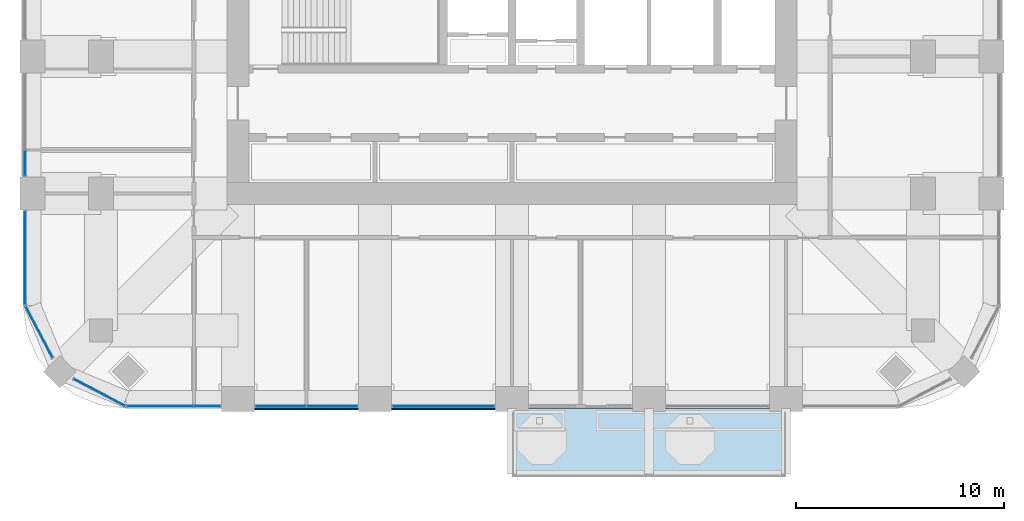
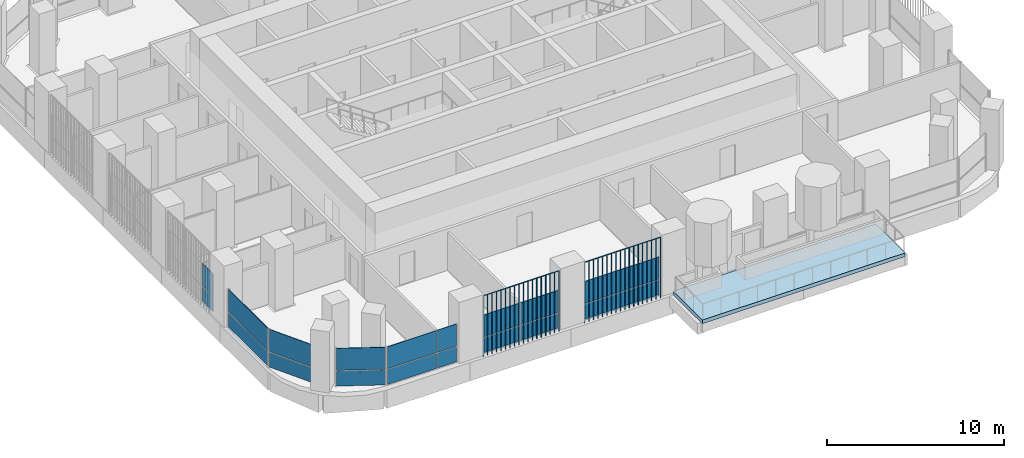
# One storey, part 8 of 20: 20 plates, 1 slab, 7 elements without a shape of their own.
"""IFC4 building model written with IfcOpenShell, lengths in metres."""

import ifcopenshell
import ifcopenshell.guid

model = None  # the IFC model being written
_history = None  # IfcOwnerHistory: only IFC2X3 demands one
_inside = {}  # id of a spatial element -> (the spatial element, [elements in it])
_under = {}  # id of a project, library or spatial element -> (it, [spatial elements below it])
_declared = {}  # id of a project -> (the project, [libraries it declares])
_typed = {}  # id of a type object -> (the type object, [elements of that type])
_made_of = {}  # id of a material, layer set ... -> (it, [elements and type objects made of it])


def new_model(schema):
    """Start an empty IFC model of exactly this schema.

    Asked for "IFC4X3", IfcOpenShell would pick the latest addendum, in which some entities
    have other attributes; the version numbers below select the first issue.
    IFC2X3 requires an IfcOwnerHistory on every rooted entity: one is made here for all.
    """
    global model, _history
    if schema == "IFC4X3":
        model = ifcopenshell.file(schema_version=(4, 3, 0, 0))
    else:
        model = ifcopenshell.file(schema=schema)
    _inside.clear()
    _under.clear()
    _declared.clear()
    _typed.clear()
    _made_of.clear()
    _history = None
    if model.schema == "IFC2X3":
        org = make("IfcOrganization", Name="unknown")
        user = make(
            "IfcPersonAndOrganization",
            ThePerson=make("IfcPerson", FamilyName="unknown"),
            TheOrganization=org,
        )
        app = make(
            "IfcApplication",
            ApplicationDeveloper=org,
            Version="unknown",
            ApplicationFullName="unknown",
            ApplicationIdentifier="unknown",
        )
        _history = make(
            "IfcOwnerHistory",
            OwningUser=user,
            OwningApplication=app,
            ChangeAction="ADDED",
            CreationDate=0,
        )
    return model


def make(cls, **values):
    """One entity of the class cls with the attributes given. An attribute that is None is left unset."""
    return model.create_entity(
        cls, **{name: value for name, value in values.items() if value is not None}
    )


def rooted(cls, **values):
    """An entity with a GlobalId (a new one), such as an element, a storey or a relation."""
    return make(cls, GlobalId=ifcopenshell.guid.new(), OwnerHistory=_history, **values)


def si_unit(unit_type, name, prefix=None):
    """IfcSIUnit, for example si_unit("LENGTHUNIT", "METRE", prefix="MILLI")."""
    return make("IfcSIUnit", UnitType=unit_type, Prefix=prefix, Name=name)


def assignment(units):
    """IfcUnitAssignment: the units of a project."""
    return None if units is None else make("IfcUnitAssignment", Units=units)


def point(xyz):
    """IfcCartesianPoint."""
    return None if xyz is None else make("IfcCartesianPoint", Coordinates=xyz)


def direction(xyz):
    """IfcDirection."""
    return None if xyz is None else make("IfcDirection", DirectionRatios=xyz)


def frame(location, z_axis=None, x_axis=None):
    """IfcAxis2Placement3D, a coordinate frame: its origin and axes. An axis left out is left unset."""
    return make(
        "IfcAxis2Placement3D",
        Location=point(location),
        Axis=direction(z_axis),
        RefDirection=direction(x_axis),
    )


def frame_2d(location, x_axis=None):
    """IfcAxis2Placement2D, a coordinate frame in the plane: its origin and x axis."""
    return make(
        "IfcAxis2Placement2D", Location=point(location), RefDirection=direction(x_axis)
    )


def origin():
    """The frame at (0, 0, 0) with its axes left unset."""
    return frame((0.0, 0.0, 0.0))


def origin_2d():
    """The frame at (0, 0) in the plane with its x axis left unset."""
    return frame_2d((0.0, 0.0))


def place(relative_to, where):
    """IfcLocalPlacement: puts the frame where relative to a parent placement (None: the world)."""
    return make(
        "IfcLocalPlacement", PlacementRelTo=relative_to, RelativePlacement=where
    )


def context(
    kind, dimensions, precision=None, world=None, true_north=None, identifier=None
):
    """IfcGeometricRepresentationContext, for example the 3D "Model" context."""
    return make(
        "IfcGeometricRepresentationContext",
        ContextIdentifier=identifier,
        ContextType=kind,
        CoordinateSpaceDimension=dimensions,
        Precision=precision,
        WorldCoordinateSystem=world,
        TrueNorth=true_north,
    )


def subcontext(parent, identifier, kind, view, scale=None):
    """IfcGeometricRepresentationSubContext, for example "Body" below "Model"."""
    return make(
        "IfcGeometricRepresentationSubContext",
        ContextIdentifier=identifier,
        ContextType=kind,
        ParentContext=parent,
        TargetScale=scale,
        TargetView=view,
    )


def project(units=None, contexts=None):
    """IfcProject with its units and contexts."""
    return rooted(
        "IfcProject",
        Name="project",
        RepresentationContexts=contexts,
        UnitsInContext=assignment(units),
    )


def spatial(cls, under=None, at=None, **own):
    """A site, building, storey or space (cls), placed at a placement, below another one or the project."""
    s = rooted(cls, ObjectPlacement=at, **own)
    if under is not None:
        _under.setdefault(under.id(), (under, []))[1].append(s)
    return s


def polyline(points):
    """IfcPolyline through the points."""
    return make("IfcPolyline", Points=[point(p) for p in points])


def profile(cls, at=None, kind="AREA", **sizes):
    """A parametric profile (cls). Its sizes go by their IFC names, for example OverallWidth=200.0."""
    return make(cls, ProfileType=kind, Position=at, **sizes)


def rectangle(**sizes):
    """IfcRectangleProfileDef."""
    return profile("IfcRectangleProfileDef", **sizes)


def outline(outer, holes=None, kind="AREA"):
    """IfcArbitraryClosedProfileDef: a profile drawn as a closed curve; with holes, ...WithVoids."""
    if holes is None:
        return make("IfcArbitraryClosedProfileDef", ProfileType=kind, OuterCurve=outer)
    return make(
        "IfcArbitraryProfileDefWithVoids",
        ProfileType=kind,
        OuterCurve=outer,
        InnerCurves=holes,
    )


def extrude(swept, where, along, depth):
    """IfcExtrudedAreaSolid: the profile swept, set in the frame where, extruded along a direction by depth."""
    return make(
        "IfcExtrudedAreaSolid",
        SweptArea=swept,
        Position=where,
        ExtrudedDirection=direction(along),
        Depth=depth,
    )


def shape(context_of_items, identifier, shape_type, items):
    """IfcShapeRepresentation: the items that make up one representation, for example the "Body"."""
    return make(
        "IfcShapeRepresentation",
        ContextOfItems=context_of_items,
        RepresentationIdentifier=identifier,
        RepresentationType=shape_type,
        Items=items,
    )


def material(Name=None, Category=None):
    """IfcMaterial."""
    return make("IfcMaterial", Name=Name, Category=Category)


def layer(
    of_material, thickness, ventilated=None, Name=None, Category=None, Priority=None
):
    """IfcMaterialLayer: one layer of a wall or slab, of a material (None: an air gap)."""
    return make(
        "IfcMaterialLayer",
        Material=of_material,
        LayerThickness=thickness,
        IsVentilated=ventilated,
        Name=Name,
        Category=Category,
        Priority=Priority,
    )


def layer_set(layers, Name=None):
    """IfcMaterialLayerSet."""
    return make("IfcMaterialLayerSet", MaterialLayers=layers, LayerSetName=Name)


def made_of(thing, what):
    """Note that an element or type object is made of a material, layer set ...; save() writes the relation."""
    if what is not None:
        _made_of.setdefault(what.id(), (what, []))[1].append(thing)
    return thing


def type_object(cls, material=None, **own):
    """A type object (cls), such as IfcWallType, which elements share."""
    return made_of(rooted(cls, **own), material)


def element(
    cls,
    number,
    at=None,
    inside=None,
    cuts=None,
    type_object=None,
    material=None,
    context=None,
    identifier="Body",
    shape_type=None,
    held_by="IfcProductDefinitionShape",
    body=None,
    shapes=None,
    **own,
):
    """One element of the class cls, such as IfcWall. Its Tag is "e" and its number.

    at: its placement. inside: the storey or other place that contains it. cuts: it is an
    opening in that element (IfcRelVoidsElement). A single representation is given by context,
    identifier, shape_type and body (its items); several are given by shapes. held_by: the class
    of the entity that holds the representations. save() writes the other relations.
    """
    e = rooted(cls, Tag="e%d" % number, ObjectPlacement=at, **own)
    if body is not None:
        shapes = [shape(context, identifier, shape_type, body)]
    if shapes is not None:
        e.Representation = make(held_by, Representations=shapes)
    if inside is not None:
        _inside.setdefault(inside.id(), (inside, []))[1].append(e)
    if cuts is not None:
        rooted(
            "IfcRelVoidsElement", RelatingBuildingElement=cuts, RelatedOpeningElement=e
        )
    if type_object is not None:
        _typed.setdefault(type_object.id(), (type_object, []))[1].append(e)
    return made_of(e, material)


def aggregate(whole, parts):
    """IfcRelAggregates: a whole, such as a stair, and the parts it consists of."""
    return rooted("IfcRelAggregates", RelatingObject=whole, RelatedObjects=parts)


def save(model, path):
    """Write the relations noted so far, then the file.

    IfcRelAggregates (storeys below a building ...), IfcRelContainedInSpatialStructure (elements
    in a storey), IfcRelDefinesByType, IfcRelAssociatesMaterial and IfcRelDeclares: one each for
    every whole, place, type object, material and project.
    """
    for whole, parts in _under.values():
        aggregate(whole, parts)
    for where, things in _inside.values():
        rooted(
            "IfcRelContainedInSpatialStructure",
            RelatedElements=things,
            RelatingStructure=where,
        )
    for kind, things in _typed.values():
        rooted("IfcRelDefinesByType", RelatedObjects=things, RelatingType=kind)
    for what, things in _made_of.values():
        rooted("IfcRelAssociatesMaterial", RelatedObjects=things, RelatingMaterial=what)
    for by, libraries in _declared.values():
        rooted("IfcRelDeclares", RelatingContext=by, RelatedDefinitions=libraries)
    model.write(path)


model = new_model("IFC4")

# Units and contexts
model_context = context("Model", 3, precision=1e-05, world=origin(), true_north=direction((0.0, 1.0)))
body_context = subcontext(model_context, "Body", "Model", "MODEL_VIEW")
ifc_project = project(units=[si_unit("LENGTHUNIT", "METRE"), si_unit("AREAUNIT", "SQUARE_METRE"), si_unit("VOLUMEUNIT", "CUBIC_METRE"), si_unit("PLANEANGLEUNIT", "RADIAN"), si_unit("MASSUNIT", "GRAM", prefix="KILO")], contexts=[model_context])

# Site, building, storey
site_placement = place(None, origin())
site = spatial("IfcSite", under=ifc_project, at=site_placement, CompositionType="ELEMENT")
building_placement = place(site_placement, origin())
building = spatial("IfcBuilding", under=site, at=building_placement, Name="Cobogo Forest Laboratory Tower", CompositionType="ELEMENT")
storey_placement = place(building_placement, frame((0.0, 0.0, 214.5)))
storey = spatial("IfcBuildingStorey", under=building, at=storey_placement, Name="L49", CompositionType="ELEMENT", Elevation=214.5)

# Slab
ifc_material_1 = material(Name="Concrete HA-40 (C40/50)", Category="concrete")
ifc_layer_1 = layer(ifc_material_1, 0.25)
ifc_layer_set_1 = layer_set([ifc_layer_1], Name="Balcony slab 250")
slab_type = type_object("IfcSlabType", Name="Balcony slab 250", PredefinedType="FLOOR", material=ifc_layer_set_1)
slab_placement = place(storey_placement, frame((0.0, 0.0, -0.25)))
element("IfcSlab", 1, at=slab_placement, inside=storey, type_object=slab_type, Name="Balcony BAL-S1 L49", PredefinedType="FLOOR", context=body_context, shape_type="SweptSolid", body=[
    extrude(outline(polyline([(26.39990234375, -0.449951171875), (39.60009765625, -0.449951171875), (39.60009765625, 2.85009765625), (26.39990234375, 2.85009765625), (26.39990234375, -0.449951171875)])), origin(), (0.0, 0.0, 1.0), 0.25),
])

# Curtain wall, plates
ifc_material_2 = material(Name="Aluminium curtain wall", Category="aluminium")
curtain_wall_type = type_object("IfcCurtainWallType", Name="CW-2 unitised curtain wall, solar control glazing, laboratory floors zones C and D", PredefinedType="USERDEFINED", material=ifc_material_2)
curtain_wall_1_placement = place(storey_placement, origin())
curtain_wall_1 = element("IfcCurtainWall", 2, at=curtain_wall_1_placement, inside=storey, type_object=curtain_wall_type, Name="Curtain wall 01 L49", ObjectType="UNITISED CURTAIN WALL", PredefinedType="USERDEFINED")
ifc_material_3 = material(Name="Solar control insulated glass", Category="glass")
ifc_layer_2 = layer(ifc_material_3, 0.031982421875)
ifc_layer_set_2 = layer_set([ifc_layer_2], Name="GP-2 solar control glass unit 32")
plate_type_1 = type_object("IfcPlateType", Name="GP-2 solar control glass unit 32", PredefinedType="CURTAIN_PANEL", material=ifc_layer_set_2)
plate_1_placement = place(storey_placement, frame((9.452392578125, 2.949951171875, 0.0), z_axis=(0.0, 0.0, 1.0), x_axis=(1.0, 0.0, 0.0)))
plate_1 = element("IfcPlate", 3, at=plate_1_placement, type_object=plate_type_1, Name="CW-2 panel 1.1", PredefinedType="CURTAIN_PANEL", context=body_context, shape_type="SweptSolid", body=[
    extrude(rectangle(XDim=3.18505859375, YDim=0.031982421875, at=origin_2d()), origin(), (0.0, 0.0, 1.0), 1.02001953125),
])
plate_2_placement = place(storey_placement, frame((9.452392578125, 2.949951171875, 1.080078125), z_axis=(0.0, 0.0, 1.0), x_axis=(1.0, 0.0, 0.0)))
plate_2 = element("IfcPlate", 4, at=plate_2_placement, type_object=plate_type_1, Name="CW-2 panel 1.2", PredefinedType="CURTAIN_PANEL", context=body_context, shape_type="SweptSolid", body=[
    extrude(rectangle(XDim=3.18505859375, YDim=0.031982421875, at=origin_2d()), origin(), (0.0, 0.0, 1.0), 1.52001953125),
])
plate_3_placement = place(storey_placement, frame((11.722412109375, 2.949951171875, 0.0), z_axis=(0.0, 0.0, 1.0), x_axis=(1.0, 0.0, 0.0)))
plate_3 = element("IfcPlate", 5, at=plate_3_placement, type_object=plate_type_1, Name="CW-2 panel 2.1", PredefinedType="CURTAIN_PANEL", context=body_context, shape_type="SweptSolid", body=[
    extrude(rectangle(XDim=1.235107421875, YDim=0.031982421875, at=origin_2d()), origin(), (0.0, 0.0, 1.0), 1.02001953125),
])
plate_4_placement = place(storey_placement, frame((11.722412109375, 2.949951171875, 1.080078125), z_axis=(0.0, 0.0, 1.0), x_axis=(1.0, 0.0, 0.0)))
plate_4 = element("IfcPlate", 6, at=plate_4_placement, type_object=plate_type_1, Name="CW-2 panel 2.2", PredefinedType="CURTAIN_PANEL", context=body_context, shape_type="SweptSolid", body=[
    extrude(rectangle(XDim=1.235107421875, YDim=0.031982421875, at=origin_2d()), origin(), (0.0, 0.0, 1.0), 1.52001953125),
])
aggregate(curtain_wall_1, [plate_1, plate_2, plate_3, plate_4])

curtain_wall_2_placement = place(storey_placement, origin())
curtain_wall_2 = element("IfcCurtainWall", 7, at=curtain_wall_2_placement, inside=storey, type_object=curtain_wall_type, Name="Curtain wall 02 L49", ObjectType="UNITISED CURTAIN WALL", PredefinedType="USERDEFINED")
plate_5_placement = place(storey_placement, frame((15.264892578125, 2.949951171875, 0.0), z_axis=(0.0, 0.0, 1.0), x_axis=(1.0, 0.0, 0.0)))
plate_5 = element("IfcPlate", 8, at=plate_5_placement, type_object=plate_type_1, Name="CW-2 panel 1.1", PredefinedType="CURTAIN_PANEL", context=body_context, shape_type="SweptSolid", body=[
    extrude(rectangle(XDim=2.409912109375, YDim=0.031982421875, at=origin_2d()), origin(), (0.0, 0.0, 1.0), 1.02001953125),
])
plate_6_placement = place(storey_placement, frame((15.264892578125, 2.949951171875, 1.080078125), z_axis=(0.0, 0.0, 1.0), x_axis=(1.0, 0.0, 0.0)))
plate_6 = element("IfcPlate", 9, at=plate_6_placement, type_object=plate_type_1, Name="CW-2 panel 1.2", PredefinedType="CURTAIN_PANEL", context=body_context, shape_type="SweptSolid", body=[
    extrude(rectangle(XDim=2.409912109375, YDim=0.031982421875, at=origin_2d()), origin(), (0.0, 0.0, 1.0), 1.52001953125),
])
plate_7_placement = place(storey_placement, frame((17.735107421875, 2.949951171875, 0.0), z_axis=(0.0, 0.0, 1.0), x_axis=(1.0, 0.0, 0.0)))
plate_7 = element("IfcPlate", 10, at=plate_7_placement, type_object=plate_type_1, Name="CW-2 panel 2.1", PredefinedType="CURTAIN_PANEL", context=body_context, shape_type="SweptSolid", body=[
    extrude(rectangle(XDim=2.409912109375, YDim=0.031982421875, at=origin_2d()), origin(), (0.0, 0.0, 1.0), 1.02001953125),
])
plate_8_placement = place(storey_placement, frame((17.735107421875, 2.949951171875, 1.080078125), z_axis=(0.0, 0.0, 1.0), x_axis=(1.0, 0.0, 0.0)))
plate_8 = element("IfcPlate", 11, at=plate_8_placement, type_object=plate_type_1, Name="CW-2 panel 2.2", PredefinedType="CURTAIN_PANEL", context=body_context, shape_type="SweptSolid", body=[
    extrude(rectangle(XDim=2.409912109375, YDim=0.031982421875, at=origin_2d()), origin(), (0.0, 0.0, 1.0), 1.52001953125),
])
aggregate(curtain_wall_2, [plate_5, plate_6, plate_7, plate_8])

curtain_wall_3_placement = place(storey_placement, origin())
curtain_wall_3 = element("IfcCurtainWall", 12, at=curtain_wall_3_placement, inside=storey, type_object=curtain_wall_type, Name="Curtain wall 03 L49", ObjectType="UNITISED CURTAIN WALL", PredefinedType="USERDEFINED")
plate_9_placement = place(storey_placement, frame((23.10009765625, 2.949951171875, 0.0), z_axis=(0.0, 0.0, 1.0), x_axis=(1.0, 0.0, 0.0)))
plate_9 = element("IfcPlate", 13, at=plate_9_placement, type_object=plate_type_1, Name="CW-2 panel 1.1", PredefinedType="CURTAIN_PANEL", context=body_context, shape_type="SweptSolid", body=[
    extrude(rectangle(XDim=4.8798828125, YDim=0.031982421875, at=origin_2d()), origin(), (0.0, 0.0, 1.0), 1.02001953125),
])
plate_10_placement = place(storey_placement, frame((23.10009765625, 2.949951171875, 1.080078125), z_axis=(0.0, 0.0, 1.0), x_axis=(1.0, 0.0, 0.0)))
plate_10 = element("IfcPlate", 14, at=plate_10_placement, type_object=plate_type_1, Name="CW-2 panel 1.2", PredefinedType="CURTAIN_PANEL", context=body_context, shape_type="SweptSolid", body=[
    extrude(rectangle(XDim=4.8798828125, YDim=0.031982421875, at=origin_2d()), origin(), (0.0, 0.0, 1.0), 1.52001953125),
])
aggregate(curtain_wall_3, [plate_9, plate_10])

curtain_wall_4_placement = place(storey_placement, origin())
curtain_wall_4 = element("IfcCurtainWall", 15, at=curtain_wall_4_placement, inside=storey, type_object=curtain_wall_type, Name="Curtain wall 27 L49", ObjectType="UNITISED CURTAIN WALL", PredefinedType="USERDEFINED")
plate_11_placement = place(storey_placement, frame((2.949951171875, 14.6650390625, 0.0), z_axis=(0.0, 0.0, 1.0), x_axis=(0.0, -1.0, 0.0)))
plate_11 = element("IfcPlate", 16, at=plate_11_placement, type_object=plate_type_1, Name="CW-2 panel 2.1", PredefinedType="CURTAIN_PANEL", context=body_context, shape_type="SweptSolid", body=[
    extrude(rectangle(XDim=1.2099609375, YDim=0.031982421875, at=origin_2d()), origin(), (0.0, 0.0, 1.0), 1.02001953125),
])
plate_12_placement = place(storey_placement, frame((2.949951171875, 14.6650390625, 1.080078125), z_axis=(0.0, 0.0, 1.0), x_axis=(0.0, -1.0, 0.0)))
plate_12 = element("IfcPlate", 17, at=plate_12_placement, type_object=plate_type_1, Name="CW-2 panel 2.2", PredefinedType="CURTAIN_PANEL", context=body_context, shape_type="SweptSolid", body=[
    extrude(rectangle(XDim=1.2099609375, YDim=0.031982421875, at=origin_2d()), origin(), (0.0, 0.0, 1.0), 1.52001953125),
])
aggregate(curtain_wall_4, [plate_11, plate_12])

curtain_wall_5_placement = place(storey_placement, origin())
curtain_wall_5 = element("IfcCurtainWall", 18, at=curtain_wall_5_placement, inside=storey, type_object=curtain_wall_type, Name="Curtain wall 28 L49", ObjectType="UNITISED CURTAIN WALL", PredefinedType="USERDEFINED")
plate_13_placement = place(storey_placement, frame((2.949951171875, 10.10009765625, 0.0), z_axis=(0.0, 0.0, 1.0), x_axis=(0.0, -1.0, 0.0)))
plate_13 = element("IfcPlate", 19, at=plate_13_placement, type_object=plate_type_1, Name="CW-2 panel 1.1", PredefinedType="CURTAIN_PANEL", context=body_context, shape_type="SweptSolid", body=[
    extrude(rectangle(XDim=4.47998046875, YDim=0.031982421875, at=origin_2d()), origin(), (0.0, 0.0, 1.0), 1.02001953125),
])
plate_14_placement = place(storey_placement, frame((2.949951171875, 10.10009765625, 1.080078125), z_axis=(0.0, 0.0, 1.0), x_axis=(0.0, -1.0, 0.0)))
plate_14 = element("IfcPlate", 20, at=plate_14_placement, type_object=plate_type_1, Name="CW-2 panel 1.2", PredefinedType="CURTAIN_PANEL", context=body_context, shape_type="SweptSolid", body=[
    extrude(rectangle(XDim=4.47998046875, YDim=0.031982421875, at=origin_2d()), origin(), (0.0, 0.0, 1.0), 1.52001953125),
])
aggregate(curtain_wall_5, [plate_13, plate_14])

curtain_wall_6_placement = place(storey_placement, origin())
curtain_wall_6 = element("IfcCurtainWall", 21, at=curtain_wall_6_placement, inside=storey, type_object=curtain_wall_type, Name="Curtain wall 29 L49", ObjectType="UNITISED CURTAIN WALL", PredefinedType="USERDEFINED")
plate_15_placement = place(storey_placement, frame((3.61865234375, 6.5244140625, 0.0), z_axis=(0.0, 0.0, 1.0), x_axis=(0.464283804832, -0.885686484356, 0.0)))
plate_15 = element("IfcPlate", 22, at=plate_15_placement, type_object=plate_type_1, Name="CW-2 panel 1.1", PredefinedType="CURTAIN_PANEL", context=body_context, shape_type="SweptSolid", body=[
    extrude(rectangle(XDim=2.76025390625, YDim=0.031982421875, at=origin_2d()), origin(), (0.0, 0.0, 1.0), 1.02001953125),
])
plate_16_placement = place(storey_placement, frame((3.61865234375, 6.5244140625, 1.080078125), z_axis=(0.0, 0.0, 1.0), x_axis=(0.464283804832, -0.885686484356, 0.0)))
plate_16 = element("IfcPlate", 23, at=plate_16_placement, type_object=plate_type_1, Name="CW-2 panel 1.2", PredefinedType="CURTAIN_PANEL", context=body_context, shape_type="SweptSolid", body=[
    extrude(rectangle(XDim=2.76025390625, YDim=0.031982421875, at=origin_2d()), origin(), (0.0, 0.0, 1.0), 1.52001953125),
])
aggregate(curtain_wall_6, [plate_15, plate_16])

curtain_wall_7_placement = place(storey_placement, origin())
curtain_wall_7 = element("IfcCurtainWall", 24, at=curtain_wall_7_placement, inside=storey, type_object=curtain_wall_type, Name="Curtain wall 30 L49", ObjectType="UNITISED CURTAIN WALL", PredefinedType="USERDEFINED")
plate_17_placement = place(storey_placement, frame((6.5244140625, 3.61865234375, 0.0), z_axis=(0.0, 0.0, 1.0), x_axis=(0.885686484356, -0.464283804832, 0.0)))
plate_17 = element("IfcPlate", 25, at=plate_17_placement, type_object=plate_type_1, Name="CW-2 panel 1.1", PredefinedType="CURTAIN_PANEL", context=body_context, shape_type="SweptSolid", body=[
    extrude(rectangle(XDim=2.76025390625, YDim=0.031982421875, at=origin_2d()), origin(), (0.0, 0.0, 1.0), 1.02001953125),
])
plate_18_placement = place(storey_placement, frame((6.5244140625, 3.61865234375, 1.080078125), z_axis=(0.0, 0.0, 1.0), x_axis=(0.885686484356, -0.464283804832, 0.0)))
plate_18 = element("IfcPlate", 26, at=plate_18_placement, type_object=plate_type_1, Name="CW-2 panel 1.2", PredefinedType="CURTAIN_PANEL", context=body_context, shape_type="SweptSolid", body=[
    extrude(rectangle(XDim=2.76025390625, YDim=0.031982421875, at=origin_2d()), origin(), (0.0, 0.0, 1.0), 1.52001953125),
])
aggregate(curtain_wall_7, [plate_17, plate_18])

# Plates
ifc_material_4 = material(Name="Terracotta", Category="masonry")
plate_type_2 = type_object("IfcPlateType", Name="TB1 terracotta baguette screen", PredefinedType="USERDEFINED", material=ifc_material_4)
plate_19_placement = place(storey_placement, frame((14.03125, 2.822021484375, -0.14990234375)))
element("IfcPlate", 27, at=plate_19_placement, inside=storey, type_object=plate_type_2, Name="Baguette screen S1 L49", ObjectType="BAGUETTE SCREEN", PredefinedType="USERDEFINED", context=body_context, shape_type="SweptSolid", body=[
    extrude(outline(polyline([(0.02880859375, 0.011962890625), (0.011962890625, 0.02880859375), (-0.011962890625, 0.02880859375), (-0.02880859375, 0.011962890625), (-0.02880859375, -0.011962890625), (-0.011962890625, -0.02880859375), (0.011962890625, -0.02880859375), (0.02880859375, -0.011962890625), (0.02880859375, 0.011962890625)])), frame((0.0, 0.0, 4.168701171875), z_axis=(1.0, 0.0, 0.0), x_axis=(0.0, 1.0, 0.0)), (0.0, 0.0, 1.0), 4.9375),
    extrude(outline(polyline([(0.02880859375, 0.011962890625), (0.011962890625, 0.02880859375), (-0.011962890625, 0.02880859375), (-0.02880859375, 0.011962890625), (-0.02880859375, -0.011962890625), (-0.011962890625, -0.02880859375), (0.011962890625, -0.02880859375), (0.02880859375, -0.011962890625), (0.02880859375, 0.011962890625)])), origin(), (0.0, 0.0, 1.0), 4.137451171875),
    extrude(outline(polyline([(0.02880859375, 0.011962890625), (0.011962890625, 0.02880859375), (-0.011962890625, 0.02880859375), (-0.02880859375, 0.011962890625), (-0.02880859375, -0.011962890625), (-0.011962890625, -0.02880859375), (0.011962890625, -0.02880859375), (0.02880859375, -0.011962890625), (0.02880859375, 0.011962890625)])), frame((0.29052734375, 0.0, 0.0)), (0.0, 0.0, 1.0), 4.137451171875),
    extrude(outline(polyline([(0.02880859375, 0.011962890625), (0.011962890625, 0.02880859375), (-0.011962890625, 0.02880859375), (-0.02880859375, 0.011962890625), (-0.02880859375, -0.011962890625), (-0.011962890625, -0.02880859375), (0.011962890625, -0.02880859375), (0.02880859375, -0.011962890625), (0.02880859375, 0.011962890625)])), frame((0.580810546875, 0.0, 0.0)), (0.0, 0.0, 1.0), 4.137451171875),
    extrude(outline(polyline([(0.02880859375, 0.011962890625), (0.011962890625, 0.02880859375), (-0.011962890625, 0.02880859375), (-0.02880859375, 0.011962890625), (-0.02880859375, -0.011962890625), (-0.011962890625, -0.02880859375), (0.011962890625, -0.02880859375), (0.02880859375, -0.011962890625), (0.02880859375, 0.011962890625)])), frame((0.871337890625, 0.0, 0.0)), (0.0, 0.0, 1.0), 4.137451171875),
    extrude(outline(polyline([(0.02880859375, 0.011962890625), (0.011962890625, 0.02880859375), (-0.011962890625, 0.02880859375), (-0.02880859375, 0.011962890625), (-0.02880859375, -0.011962890625), (-0.011962890625, -0.02880859375), (0.011962890625, -0.02880859375), (0.02880859375, -0.011962890625), (0.02880859375, 0.011962890625)])), frame((1.161865234375, 0.0, 0.0)), (0.0, 0.0, 1.0), 4.137451171875),
    extrude(outline(polyline([(0.02880859375, 0.011962890625), (0.011962890625, 0.02880859375), (-0.011962890625, 0.02880859375), (-0.02880859375, 0.011962890625), (-0.02880859375, -0.011962890625), (-0.011962890625, -0.02880859375), (0.011962890625, -0.02880859375), (0.02880859375, -0.011962890625), (0.02880859375, 0.011962890625)])), frame((1.4521484375, 0.0, 0.0)), (0.0, 0.0, 1.0), 4.137451171875),
    extrude(outline(polyline([(0.02880859375, 0.011962890625), (0.011962890625, 0.02880859375), (-0.011962890625, 0.02880859375), (-0.02880859375, 0.011962890625), (-0.02880859375, -0.011962890625), (-0.011962890625, -0.02880859375), (0.011962890625, -0.02880859375), (0.02880859375, -0.011962890625), (0.02880859375, 0.011962890625)])), frame((1.74267578125, 0.0, 0.0)), (0.0, 0.0, 1.0), 4.137451171875),
    extrude(outline(polyline([(0.02880859375, 0.011962890625), (0.011962890625, 0.02880859375), (-0.011962890625, 0.02880859375), (-0.02880859375, 0.011962890625), (-0.02880859375, -0.011962890625), (-0.011962890625, -0.02880859375), (0.011962890625, -0.02880859375), (0.02880859375, -0.011962890625), (0.02880859375, 0.011962890625)])), frame((2.033203125, 0.0, 0.0)), (0.0, 0.0, 1.0), 4.137451171875),
    extrude(outline(polyline([(0.02880859375, 0.011962890625), (0.011962890625, 0.02880859375), (-0.011962890625, 0.02880859375), (-0.02880859375, 0.011962890625), (-0.02880859375, -0.011962890625), (-0.011962890625, -0.02880859375), (0.011962890625, -0.02880859375), (0.02880859375, -0.011962890625), (0.02880859375, 0.011962890625)])), frame((2.323486328125, 0.0, 0.0)), (0.0, 0.0, 1.0), 4.137451171875),
    extrude(outline(polyline([(0.02880859375, 0.011962890625), (0.011962890625, 0.02880859375), (-0.011962890625, 0.02880859375), (-0.02880859375, 0.011962890625), (-0.02880859375, -0.011962890625), (-0.011962890625, -0.02880859375), (0.011962890625, -0.02880859375), (0.02880859375, -0.011962890625), (0.02880859375, 0.011962890625)])), frame((2.614013671875, 0.0, 0.0)), (0.0, 0.0, 1.0), 4.137451171875),
    extrude(outline(polyline([(0.02880859375, 0.011962890625), (0.011962890625, 0.02880859375), (-0.011962890625, 0.02880859375), (-0.02880859375, 0.011962890625), (-0.02880859375, -0.011962890625), (-0.011962890625, -0.02880859375), (0.011962890625, -0.02880859375), (0.02880859375, -0.011962890625), (0.02880859375, 0.011962890625)])), frame((2.904296875, 0.0, 0.0)), (0.0, 0.0, 1.0), 4.137451171875),
    extrude(outline(polyline([(0.02880859375, 0.011962890625), (0.011962890625, 0.02880859375), (-0.011962890625, 0.02880859375), (-0.02880859375, 0.011962890625), (-0.02880859375, -0.011962890625), (-0.011962890625, -0.02880859375), (0.011962890625, -0.02880859375), (0.02880859375, -0.011962890625), (0.02880859375, 0.011962890625)])), frame((3.19482421875, 0.0, 0.0)), (0.0, 0.0, 1.0), 4.137451171875),
    extrude(outline(polyline([(0.02880859375, 0.011962890625), (0.011962890625, 0.02880859375), (-0.011962890625, 0.02880859375), (-0.02880859375, 0.011962890625), (-0.02880859375, -0.011962890625), (-0.011962890625, -0.02880859375), (0.011962890625, -0.02880859375), (0.02880859375, -0.011962890625), (0.02880859375, 0.011962890625)])), frame((3.4853515625, 0.0, 0.0)), (0.0, 0.0, 1.0), 4.137451171875),
    extrude(outline(polyline([(0.02880859375, 0.011962890625), (0.011962890625, 0.02880859375), (-0.011962890625, 0.02880859375), (-0.02880859375, 0.011962890625), (-0.02880859375, -0.011962890625), (-0.011962890625, -0.02880859375), (0.011962890625, -0.02880859375), (0.02880859375, -0.011962890625), (0.02880859375, 0.011962890625)])), frame((3.775634765625, 0.0, 0.0)), (0.0, 0.0, 1.0), 4.137451171875),
    extrude(outline(polyline([(0.02880859375, 0.011962890625), (0.011962890625, 0.02880859375), (-0.011962890625, 0.02880859375), (-0.02880859375, 0.011962890625), (-0.02880859375, -0.011962890625), (-0.011962890625, -0.02880859375), (0.011962890625, -0.02880859375), (0.02880859375, -0.011962890625), (0.02880859375, 0.011962890625)])), frame((4.066162109375, 0.0, 0.0)), (0.0, 0.0, 1.0), 4.137451171875),
    extrude(outline(polyline([(0.02880859375, 0.011962890625), (0.011962890625, 0.02880859375), (-0.011962890625, 0.02880859375), (-0.02880859375, 0.011962890625), (-0.02880859375, -0.011962890625), (-0.011962890625, -0.02880859375), (0.011962890625, -0.02880859375), (0.02880859375, -0.011962890625), (0.02880859375, 0.011962890625)])), frame((4.356689453125, 0.0, 0.0)), (0.0, 0.0, 1.0), 4.137451171875),
    extrude(outline(polyline([(0.02880859375, 0.011962890625), (0.011962890625, 0.02880859375), (-0.011962890625, 0.02880859375), (-0.02880859375, 0.011962890625), (-0.02880859375, -0.011962890625), (-0.011962890625, -0.02880859375), (0.011962890625, -0.02880859375), (0.02880859375, -0.011962890625), (0.02880859375, 0.011962890625)])), frame((4.64697265625, 0.0, 0.0)), (0.0, 0.0, 1.0), 4.137451171875),
    extrude(outline(polyline([(0.02880859375, 0.011962890625), (0.011962890625, 0.02880859375), (-0.011962890625, 0.02880859375), (-0.02880859375, 0.011962890625), (-0.02880859375, -0.011962890625), (-0.011962890625, -0.02880859375), (0.011962890625, -0.02880859375), (0.02880859375, -0.011962890625), (0.02880859375, 0.011962890625)])), frame((4.9375, 0.0, 0.0)), (0.0, 0.0, 1.0), 4.137451171875),
])
plate_20_placement = place(storey_placement, frame((20.63134765625, 2.822021484375, -0.14990234375)))
element("IfcPlate", 28, at=plate_20_placement, inside=storey, type_object=plate_type_2, Name="Baguette screen S2 L49", ObjectType="BAGUETTE SCREEN", PredefinedType="USERDEFINED", context=body_context, shape_type="SweptSolid", body=[
    extrude(outline(polyline([(0.02880859375, 0.011962890625), (0.011962890625, 0.02880859375), (-0.011962890625, 0.02880859375), (-0.02880859375, 0.011962890625), (-0.02880859375, -0.011962890625), (-0.011962890625, -0.02880859375), (0.011962890625, -0.02880859375), (0.02880859375, -0.011962890625), (0.02880859375, 0.011962890625)])), frame((0.0, 0.0, 4.168701171875), z_axis=(1.0, 0.0, 0.0), x_axis=(0.0, 1.0, 0.0)), (0.0, 0.0, 1.0), 4.9375),
    extrude(outline(polyline([(0.02880859375, 0.011962890625), (0.011962890625, 0.02880859375), (-0.011962890625, 0.02880859375), (-0.02880859375, 0.011962890625), (-0.02880859375, -0.011962890625), (-0.011962890625, -0.02880859375), (0.011962890625, -0.02880859375), (0.02880859375, -0.011962890625), (0.02880859375, 0.011962890625)])), origin(), (0.0, 0.0, 1.0), 4.137451171875),
    extrude(outline(polyline([(0.02880859375, 0.011962890625), (0.011962890625, 0.02880859375), (-0.011962890625, 0.02880859375), (-0.02880859375, 0.011962890625), (-0.02880859375, -0.011962890625), (-0.011962890625, -0.02880859375), (0.011962890625, -0.02880859375), (0.02880859375, -0.011962890625), (0.02880859375, 0.011962890625)])), frame((0.29052734375, 0.0, 0.0)), (0.0, 0.0, 1.0), 4.137451171875),
    extrude(outline(polyline([(0.02880859375, 0.011962890625), (0.011962890625, 0.02880859375), (-0.011962890625, 0.02880859375), (-0.02880859375, 0.011962890625), (-0.02880859375, -0.011962890625), (-0.011962890625, -0.02880859375), (0.011962890625, -0.02880859375), (0.02880859375, -0.011962890625), (0.02880859375, 0.011962890625)])), frame((0.580810546875, 0.0, 0.0)), (0.0, 0.0, 1.0), 4.137451171875),
    extrude(outline(polyline([(0.02880859375, 0.011962890625), (0.011962890625, 0.02880859375), (-0.011962890625, 0.02880859375), (-0.02880859375, 0.011962890625), (-0.02880859375, -0.011962890625), (-0.011962890625, -0.02880859375), (0.011962890625, -0.02880859375), (0.02880859375, -0.011962890625), (0.02880859375, 0.011962890625)])), frame((0.871337890625, 0.0, 0.0)), (0.0, 0.0, 1.0), 4.137451171875),
    extrude(outline(polyline([(0.02880859375, 0.011962890625), (0.011962890625, 0.02880859375), (-0.011962890625, 0.02880859375), (-0.02880859375, 0.011962890625), (-0.02880859375, -0.011962890625), (-0.011962890625, -0.02880859375), (0.011962890625, -0.02880859375), (0.02880859375, -0.011962890625), (0.02880859375, 0.011962890625)])), frame((1.161865234375, 0.0, 0.0)), (0.0, 0.0, 1.0), 4.137451171875),
    extrude(outline(polyline([(0.02880859375, 0.011962890625), (0.011962890625, 0.02880859375), (-0.011962890625, 0.02880859375), (-0.02880859375, 0.011962890625), (-0.02880859375, -0.011962890625), (-0.011962890625, -0.02880859375), (0.011962890625, -0.02880859375), (0.02880859375, -0.011962890625), (0.02880859375, 0.011962890625)])), frame((1.4521484375, 0.0, 0.0)), (0.0, 0.0, 1.0), 4.137451171875),
    extrude(outline(polyline([(0.02880859375, 0.011962890625), (0.011962890625, 0.02880859375), (-0.011962890625, 0.02880859375), (-0.02880859375, 0.011962890625), (-0.02880859375, -0.011962890625), (-0.011962890625, -0.02880859375), (0.011962890625, -0.02880859375), (0.02880859375, -0.011962890625), (0.02880859375, 0.011962890625)])), frame((1.74267578125, 0.0, 0.0)), (0.0, 0.0, 1.0), 4.137451171875),
    extrude(outline(polyline([(0.02880859375, 0.011962890625), (0.011962890625, 0.02880859375), (-0.011962890625, 0.02880859375), (-0.02880859375, 0.011962890625), (-0.02880859375, -0.011962890625), (-0.011962890625, -0.02880859375), (0.011962890625, -0.02880859375), (0.02880859375, -0.011962890625), (0.02880859375, 0.011962890625)])), frame((2.033203125, 0.0, 0.0)), (0.0, 0.0, 1.0), 4.137451171875),
    extrude(outline(polyline([(0.02880859375, 0.011962890625), (0.011962890625, 0.02880859375), (-0.011962890625, 0.02880859375), (-0.02880859375, 0.011962890625), (-0.02880859375, -0.011962890625), (-0.011962890625, -0.02880859375), (0.011962890625, -0.02880859375), (0.02880859375, -0.011962890625), (0.02880859375, 0.011962890625)])), frame((2.323486328125, 0.0, 0.0)), (0.0, 0.0, 1.0), 4.137451171875),
    extrude(outline(polyline([(0.02880859375, 0.011962890625), (0.011962890625, 0.02880859375), (-0.011962890625, 0.02880859375), (-0.02880859375, 0.011962890625), (-0.02880859375, -0.011962890625), (-0.011962890625, -0.02880859375), (0.011962890625, -0.02880859375), (0.02880859375, -0.011962890625), (0.02880859375, 0.011962890625)])), frame((2.614013671875, 0.0, 0.0)), (0.0, 0.0, 1.0), 4.137451171875),
    extrude(outline(polyline([(0.02880859375, 0.011962890625), (0.011962890625, 0.02880859375), (-0.011962890625, 0.02880859375), (-0.02880859375, 0.011962890625), (-0.02880859375, -0.011962890625), (-0.011962890625, -0.02880859375), (0.011962890625, -0.02880859375), (0.02880859375, -0.011962890625), (0.02880859375, 0.011962890625)])), frame((2.904296875, 0.0, 0.0)), (0.0, 0.0, 1.0), 4.137451171875),
    extrude(outline(polyline([(0.02880859375, 0.011962890625), (0.011962890625, 0.02880859375), (-0.011962890625, 0.02880859375), (-0.02880859375, 0.011962890625), (-0.02880859375, -0.011962890625), (-0.011962890625, -0.02880859375), (0.011962890625, -0.02880859375), (0.02880859375, -0.011962890625), (0.02880859375, 0.011962890625)])), frame((3.19482421875, 0.0, 0.0)), (0.0, 0.0, 1.0), 4.137451171875),
    extrude(outline(polyline([(0.02880859375, 0.011962890625), (0.011962890625, 0.02880859375), (-0.011962890625, 0.02880859375), (-0.02880859375, 0.011962890625), (-0.02880859375, -0.011962890625), (-0.011962890625, -0.02880859375), (0.011962890625, -0.02880859375), (0.02880859375, -0.011962890625), (0.02880859375, 0.011962890625)])), frame((3.4853515625, 0.0, 0.0)), (0.0, 0.0, 1.0), 4.137451171875),
    extrude(outline(polyline([(0.02880859375, 0.011962890625), (0.011962890625, 0.02880859375), (-0.011962890625, 0.02880859375), (-0.02880859375, 0.011962890625), (-0.02880859375, -0.011962890625), (-0.011962890625, -0.02880859375), (0.011962890625, -0.02880859375), (0.02880859375, -0.011962890625), (0.02880859375, 0.011962890625)])), frame((3.775634765625, 0.0, 0.0)), (0.0, 0.0, 1.0), 4.137451171875),
    extrude(outline(polyline([(0.02880859375, 0.011962890625), (0.011962890625, 0.02880859375), (-0.011962890625, 0.02880859375), (-0.02880859375, 0.011962890625), (-0.02880859375, -0.011962890625), (-0.011962890625, -0.02880859375), (0.011962890625, -0.02880859375), (0.02880859375, -0.011962890625), (0.02880859375, 0.011962890625)])), frame((4.066162109375, 0.0, 0.0)), (0.0, 0.0, 1.0), 4.137451171875),
    extrude(outline(polyline([(0.02880859375, 0.011962890625), (0.011962890625, 0.02880859375), (-0.011962890625, 0.02880859375), (-0.02880859375, 0.011962890625), (-0.02880859375, -0.011962890625), (-0.011962890625, -0.02880859375), (0.011962890625, -0.02880859375), (0.02880859375, -0.011962890625), (0.02880859375, 0.011962890625)])), frame((4.356689453125, 0.0, 0.0)), (0.0, 0.0, 1.0), 4.137451171875),
    extrude(outline(polyline([(0.02880859375, 0.011962890625), (0.011962890625, 0.02880859375), (-0.011962890625, 0.02880859375), (-0.02880859375, 0.011962890625), (-0.02880859375, -0.011962890625), (-0.011962890625, -0.02880859375), (0.011962890625, -0.02880859375), (0.02880859375, -0.011962890625), (0.02880859375, 0.011962890625)])), frame((4.64697265625, 0.0, 0.0)), (0.0, 0.0, 1.0), 4.137451171875),
    extrude(outline(polyline([(0.02880859375, 0.011962890625), (0.011962890625, 0.02880859375), (-0.011962890625, 0.02880859375), (-0.02880859375, 0.011962890625), (-0.02880859375, -0.011962890625), (-0.011962890625, -0.02880859375), (0.011962890625, -0.02880859375), (0.02880859375, -0.011962890625), (0.02880859375, 0.011962890625)])), frame((4.9375, 0.0, 0.0)), (0.0, 0.0, 1.0), 4.137451171875),
])

save(model, "model.ifc")
